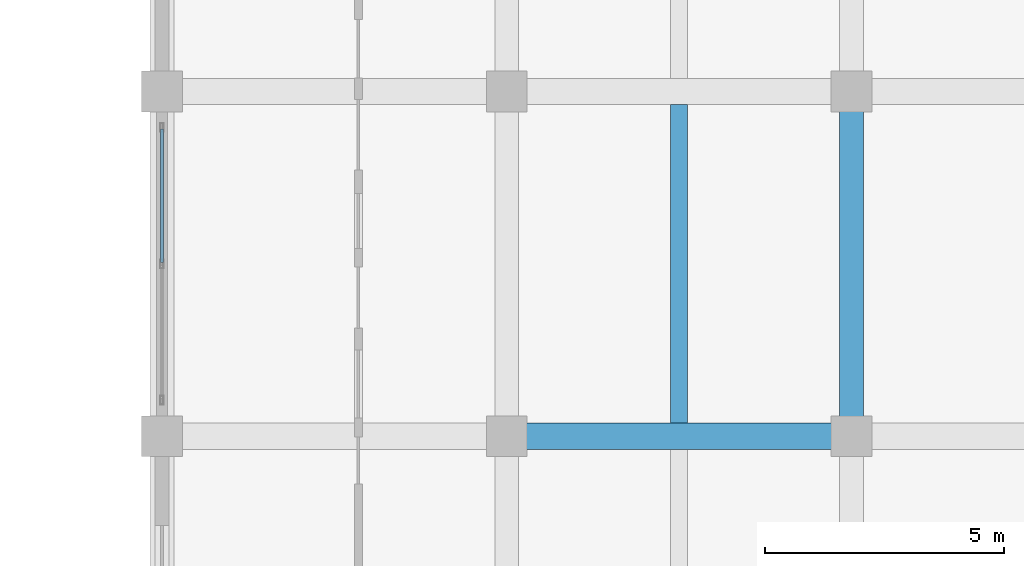
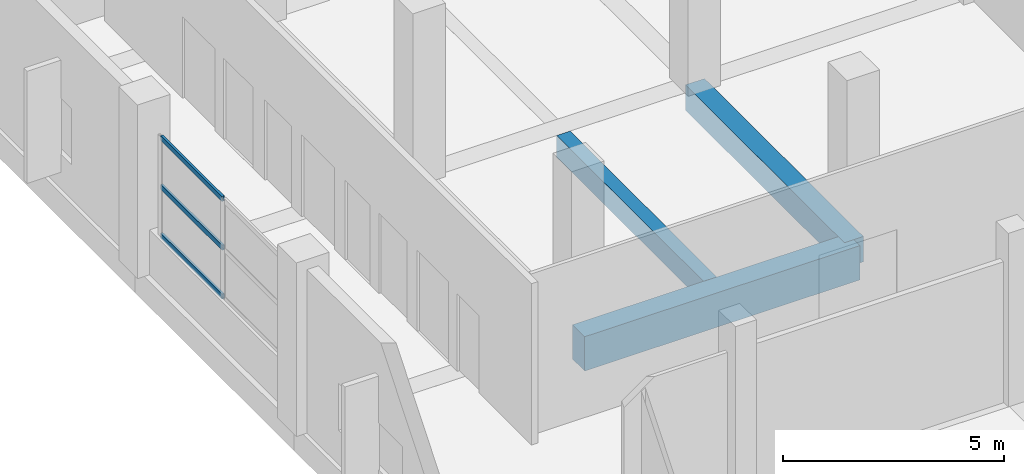
# One storey, part 118 of 181: 3 beams, 3 members, 1 element without a shape of its own.
"""IFC4 building model written with IfcOpenShell, lengths in metres."""

from ifc_helpers import new_model, si_unit, direction, frame, origin, origin_2d, place, context, subcontext, project, spatial, rectangle, hollow_rectangle, extrude, material, layer, layer_set, material_profile, profile_set, type_object, element, aggregate, save


model = new_model("IFC4")

# Units and contexts
model_context = context("Model", 3, precision=1e-05, world=origin(), true_north=direction((0.0, 1.0)))
body_context = subcontext(model_context, "Body", "Model", "MODEL_VIEW")
ifc_project = project(units=[si_unit("LENGTHUNIT", "METRE"), si_unit("AREAUNIT", "SQUARE_METRE"), si_unit("VOLUMEUNIT", "CUBIC_METRE"), si_unit("PLANEANGLEUNIT", "RADIAN"), si_unit("MASSUNIT", "GRAM", prefix="KILO")], contexts=[model_context])

# Site, building, storey
site_placement = place(None, origin())
site = spatial("IfcSite", under=ifc_project, at=site_placement, CompositionType="ELEMENT")
building_placement = place(site_placement, origin())
building = spatial("IfcBuilding", under=site, at=building_placement, Name="Seraya Terrace Polytechnic", CompositionType="ELEMENT")
storey_placement = place(building_placement, frame((0.0, 0.0, 4.800048828125)))
storey = spatial("IfcBuildingStorey", under=building, at=storey_placement, Name="L01", CompositionType="ELEMENT", Elevation=4.800048828125)

# Beams
ifc_material_1 = material(Name="Concrete C40/50", Category="concrete")
ifc_material_profile_1 = material_profile(ifc_material_1, rectangle(XDim=0.550048828125, YDim=0.949951171875, at=origin_2d()), Name="RC 550x950")
ifc_profile_set_1 = profile_set([ifc_material_profile_1], Name="Concrete C40/50")
beam_type_1 = type_object("IfcBeamType", Name="BM-03", PredefinedType="BEAM", material=ifc_profile_set_1)
beam_1_placement = place(storey_placement, frame((151.199951171875, 43.199951171875, -0.47509765625), z_axis=(1.0, 0.0, 0.0), x_axis=(0.0, 1.0, 0.0)))
element("IfcBeam", 1, at=beam_1_placement, inside=storey, type_object=beam_type_1, Name="Beam BM-03 L01 X (151.2..158.4, 43.2)", PredefinedType="BEAM", context=body_context, shape_type="SweptSolid", body=[
    extrude(rectangle(XDim=0.550048828125, YDim=0.949951171875, at=origin_2d()), origin(), (0.0, 0.0, 1.0), 7.199951171875),
])
ifc_material_profile_2 = material_profile(ifc_material_1, rectangle(XDim=0.5, YDim=0.699951171875, at=origin_2d()), Name="RC 500x700")
ifc_profile_set_2 = profile_set([ifc_material_profile_2], Name="Concrete C40/50")
beam_type_2 = type_object("IfcBeamType", Name="BM-07", PredefinedType="BEAM", material=ifc_profile_set_2)
beam_2_placement = place(storey_placement, frame((158.39990234375, 43.199951171875, -0.35009765625), z_axis=(0.0, 1.0, 0.0), x_axis=(-1.0, 0.0, 0.0)))
element("IfcBeam", 2, at=beam_2_placement, inside=storey, type_object=beam_type_2, Name="Beam BM-07 L01 Y (158.4, 43.2..50.4)", PredefinedType="BEAM", context=body_context, shape_type="SweptSolid", body=[
    extrude(rectangle(XDim=0.5, YDim=0.699951171875, at=origin_2d()), origin(), (0.0, 0.0, 1.0), 7.199951171875),
])

# Curtain wall, members
ifc_material_2 = material(Name="Anodised aluminium EN AW-6063 T6", Category="aluminium")
ifc_layer = layer(ifc_material_2, 0.179931640625, Name="CW-10")
ifc_layer_set = layer_set([ifc_layer], Name="Anodised aluminium EN AW-6063 T6")
curtain_wall_type = type_object("IfcCurtainWallType", Name="CW-10", PredefinedType="NOTDEFINED", material=ifc_layer_set)
curtain_wall_placement = place(storey_placement, origin())
curtain_wall = element("IfcCurtainWall", 3, at=curtain_wall_placement, inside=storey, type_object=curtain_wall_type, Name="Unitised curtain wall CW-10 (CW-L01-046)", PredefinedType="NOTDEFINED")
ifc_material_profile_3 = material_profile(ifc_material_2, hollow_rectangle(XDim=0.06005859375, YDim=0.139892578125, WallThickness=0.00341796875, at=origin_2d()), Name="RHS 140x60x3.5")
ifc_profile_set_3 = profile_set([ifc_material_profile_3], Name="Anodised aluminium EN AW-6063 T6")
member_type = type_object("IfcMemberType", Name="CWT-01", PredefinedType="USERDEFINED", material=ifc_profile_set_3)
member_1_placement = place(storey_placement, frame((144.0, 46.83251953125, 1.27001953125), z_axis=(0.0, 1.0, 0.0), x_axis=(-1.0, 0.0, 0.0)))
member_1 = element("IfcMember", 4, at=member_1_placement, type_object=member_type, Name="CW-10 transom 2.1", ObjectType="TRANSOM", PredefinedType="USERDEFINED", context=body_context, shape_type="SweptSolid", body=[
    extrude(hollow_rectangle(XDim=0.06005859375, YDim=0.139892578125, WallThickness=0.00341796875, at=origin_2d()), origin(), (0.0, 0.0, 1.0), 2.782470703125),
])
member_2_placement = place(storey_placement, frame((144.0, 46.83251953125, 2.619873046875), z_axis=(0.0, 1.0, 0.0), x_axis=(-1.0, 0.0, 0.0)))
member_2 = element("IfcMember", 5, at=member_2_placement, type_object=member_type, Name="CW-10 transom 2.2", ObjectType="TRANSOM", PredefinedType="USERDEFINED", context=body_context, shape_type="SweptSolid", body=[
    extrude(hollow_rectangle(XDim=0.06005859375, YDim=0.139892578125, WallThickness=0.00341796875, at=origin_2d()), origin(), (0.0, 0.0, 1.0), 2.782470703125),
])
member_3_placement = place(storey_placement, frame((144.0, 46.83251953125, 3.969970703125), z_axis=(0.0, 1.0, 0.0), x_axis=(-1.0, 0.0, 0.0)))
member_3 = element("IfcMember", 6, at=member_3_placement, type_object=member_type, Name="CW-10 transom 2.3", ObjectType="TRANSOM", PredefinedType="USERDEFINED", context=body_context, shape_type="SweptSolid", body=[
    extrude(hollow_rectangle(XDim=0.06005859375, YDim=0.139892578125, WallThickness=0.00341796875, at=origin_2d()), origin(), (0.0, 0.0, 1.0), 2.782470703125),
])
aggregate(curtain_wall, [member_1, member_2, member_3])

# Beam
ifc_material_profile_4 = material_profile(ifc_material_1, rectangle(XDim=0.35009765625, YDim=0.60009765625, at=origin_2d()), Name="RC 350x600")
ifc_profile_set_4 = profile_set([ifc_material_profile_4], Name="Concrete C40/50")
beam_type_3 = type_object("IfcBeamType", Name="JS-02", PredefinedType="JOIST", material=ifc_profile_set_4)
beam_3_placement = place(storey_placement, frame((154.800048828125, 43.47509765625, -0.300048828125), z_axis=(0.0, 1.0, 0.0), x_axis=(-1.0, 0.0, 0.0)))
element("IfcBeam", 7, at=beam_3_placement, inside=storey, type_object=beam_type_3, Name="Secondary joist JS-02 L01", PredefinedType="JOIST", context=body_context, shape_type="SweptSolid", body=[
    extrude(rectangle(XDim=0.35009765625, YDim=0.60009765625, at=origin_2d()), origin(), (0.0, 0.0, 1.0), 6.64990234375),
])

save(model, "model.ifc")
